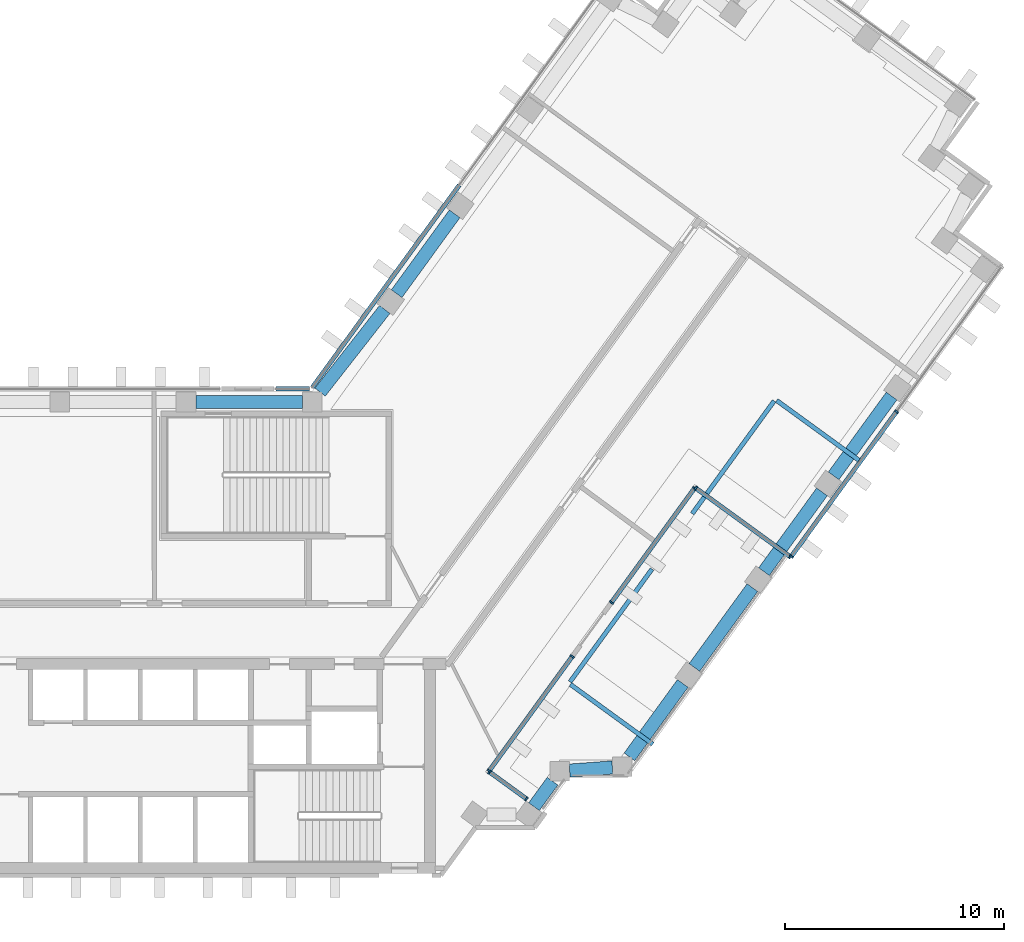
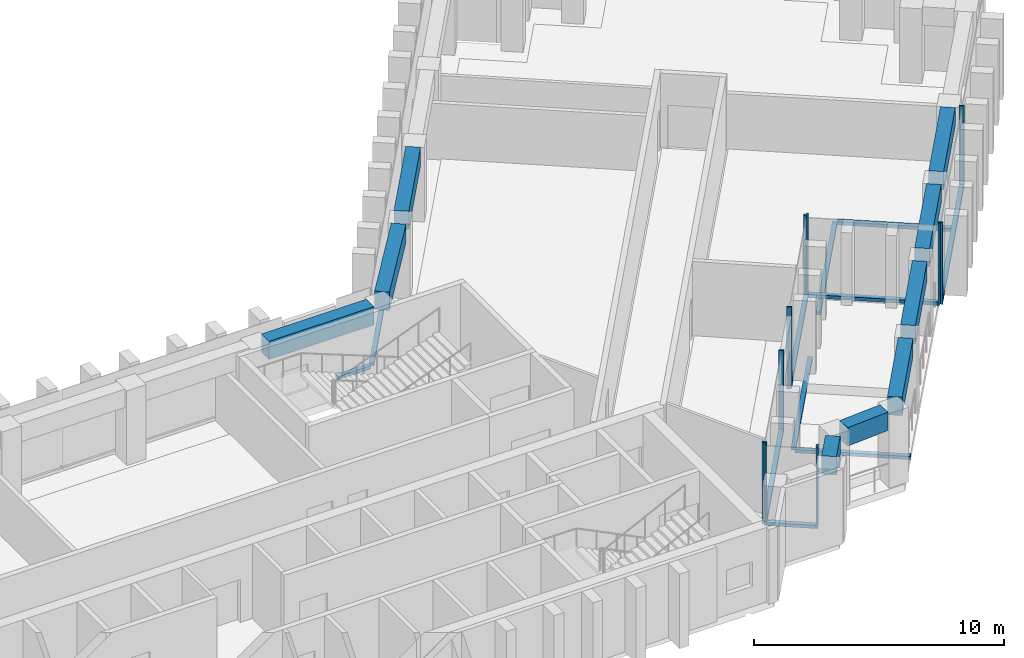
"""IFC4 building model written with IfcOpenShell, lengths in metres."""

from ifc_helpers import new_model, si_unit, direction, frame, origin, origin_2d, place, context, subcontext, project, spatial, rectangle, extrude, material, material_profile, profile_set, type_object, element, aggregate, save


model = new_model("IFC4")

# Units and contexts
model_context = context("Model", 3, precision=1e-05, world=origin(), true_north=direction((0.0, 1.0)))
body_context = subcontext(model_context, "Body", "Model", "MODEL_VIEW")
ifc_project = project(units=[si_unit("LENGTHUNIT", "METRE"), si_unit("AREAUNIT", "SQUARE_METRE"), si_unit("VOLUMEUNIT", "CUBIC_METRE"), si_unit("PLANEANGLEUNIT", "RADIAN"), si_unit("MASSUNIT", "GRAM", prefix="KILO")], contexts=[model_context])

# Site, building, storey
site_placement = place(None, origin())
site = spatial("IfcSite", under=ifc_project, at=site_placement, CompositionType="ELEMENT")
building_placement = place(site_placement, origin())
building = spatial("IfcBuilding", under=site, at=building_placement, Name="Quipu Civic Tower", CompositionType="ELEMENT")
storey_1_placement = place(building_placement, frame((0.0, 0.0, 105.0)))
storey_1 = spatial("IfcBuildingStorey", under=building, at=storey_1_placement, Name="L24", CompositionType="ELEMENT", Elevation=105.0)

# Curtain wall, members
ifc_material_1 = material(Name="Insulated glass unit", Category="glass")
curtain_wall_type = type_object("IfcCurtainWallType", Name="Office curtain wall CW1", PredefinedType="NOTDEFINED", material=ifc_material_1)
curtain_wall_1_placement = place(storey_1_placement, origin())
curtain_wall_1 = element("IfcCurtainWall", 1, at=curtain_wall_1_placement, inside=storey_1, type_object=curtain_wall_type, Name="Office curtain wall CW1 L24 run 2", PredefinedType="NOTDEFINED")
ifc_material_2 = material(Name="Anodised aluminium", Category="aluminium")
ifc_material_profile_1 = material_profile(ifc_material_2, rectangle(XDim=0.199951171875, YDim=0.080078125, at=origin_2d()), Name="RECT 200x80")
ifc_profile_set_1 = profile_set([ifc_material_profile_1], Name="Anodised aluminium")
member_type_1 = type_object("IfcMemberType", Name="Mullion CW1", PredefinedType="MULLION", material=ifc_profile_set_1)
member_1_placement = place(storey_1_placement, frame((24.154541015625, -7.592041015625, 0.080078125), z_axis=(0.0, 0.0, 1.0), x_axis=(-0.587773139404, -0.809025794765, 0.0)))
member_1 = element("IfcMember", 2, at=member_1_placement, type_object=member_type_1, Name="CW1 mullion 1", PredefinedType="MULLION", context=body_context, shape_type="SweptSolid", body=[
    extrude(rectangle(XDim=0.199951171875, YDim=0.080078125, at=origin_2d()), origin(), (0.0, 0.0, 1.0), 4.0),
])
member_2_placement = place(storey_1_placement, frame((22.468994140625, -6.367431640625, 0.080078125), z_axis=(0.0, 0.0, 1.0), x_axis=(-0.587773139404, -0.809025794765, 0.0)))
member_2 = element("IfcMember", 3, at=member_2_placement, type_object=member_type_1, Name="CW1 mullion 2", PredefinedType="MULLION", context=body_context, shape_type="SweptSolid", body=[
    extrude(rectangle(XDim=0.199951171875, YDim=0.080078125, at=origin_2d()), origin(), (0.0, 0.0, 1.0), 4.0),
])

curtain_wall_2_placement = place(storey_1_placement, origin())
curtain_wall_2 = element("IfcCurtainWall", 4, at=curtain_wall_2_placement, inside=storey_1, type_object=curtain_wall_type, Name="Office curtain wall CW1 L24 run 3", PredefinedType="NOTDEFINED")
member_3_placement = place(storey_1_placement, frame((22.460205078125, -6.3115234375, 0.080078125), z_axis=(0.0, 0.0, 1.0), x_axis=(-0.809018600878, 0.587783041125, 0.0)))
member_3 = element("IfcMember", 5, at=member_3_placement, type_object=member_type_1, Name="CW1 mullion 1", PredefinedType="MULLION", context=body_context, shape_type="SweptSolid", body=[
    extrude(rectangle(XDim=0.199951171875, YDim=0.080078125, at=origin_2d()), origin(), (0.0, 0.0, 1.0), 4.0),
])
member_4_placement = place(storey_1_placement, frame((26.244384765625, -1.1025390625, 0.080078125), z_axis=(0.0, 0.0, 1.0), x_axis=(-0.809018600878, 0.587783041125, 0.0)))
member_4 = element("IfcMember", 6, at=member_4_placement, type_object=member_type_1, Name="CW1 mullion 2", PredefinedType="MULLION", context=body_context, shape_type="SweptSolid", body=[
    extrude(rectangle(XDim=0.199951171875, YDim=0.080078125, at=origin_2d()), origin(), (0.0, 0.0, 1.0), 4.0),
])

curtain_wall_3_placement = place(storey_1_placement, origin())
curtain_wall_3 = element("IfcCurtainWall", 7, at=curtain_wall_3_placement, inside=storey_1, type_object=curtain_wall_type, Name="Office curtain wall CW1 L24 run 5", PredefinedType="NOTDEFINED")
member_5_placement = place(storey_1_placement, frame((28.033203125, 1.359130859375, 0.080078125), z_axis=(0.0, 0.0, 1.0), x_axis=(-0.809021906018, 0.587778491936, 0.0)))
member_5 = element("IfcMember", 8, at=member_5_placement, type_object=member_type_1, Name="CW1 mullion 1", PredefinedType="MULLION", context=body_context, shape_type="SweptSolid", body=[
    extrude(rectangle(XDim=0.199951171875, YDim=0.080078125, at=origin_2d()), origin(), (0.0, 0.0, 1.0), 4.0),
])
member_6_placement = place(storey_1_placement, frame((31.817626953125, 6.568115234375, 0.080078125), z_axis=(0.0, 0.0, 1.0), x_axis=(-0.809021906018, 0.587778491936, 0.0)))
member_6 = element("IfcMember", 9, at=member_6_placement, type_object=member_type_1, Name="CW1 mullion 2", PredefinedType="MULLION", context=body_context, shape_type="SweptSolid", body=[
    extrude(rectangle(XDim=0.199951171875, YDim=0.080078125, at=origin_2d()), origin(), (0.0, 0.0, 1.0), 4.0),
])

curtain_wall_4_placement = place(storey_1_placement, origin())
curtain_wall_4 = element("IfcCurtainWall", 10, at=curtain_wall_4_placement, inside=storey_1, type_object=curtain_wall_type, Name="Office curtain wall CW1 L24 run 6", PredefinedType="NOTDEFINED")
member_7_placement = place(storey_1_placement, frame((31.87353515625, 6.576904296875, 0.080078125), z_axis=(0.0, 0.0, 1.0), x_axis=(0.587779635352, 0.809021075291, 0.0)))
member_7 = element("IfcMember", 11, at=member_7_placement, type_object=member_type_1, Name="CW1 mullion 1", PredefinedType="MULLION", context=body_context, shape_type="SweptSolid", body=[
    extrude(rectangle(XDim=0.199951171875, YDim=0.080078125, at=origin_2d()), origin(), (0.0, 0.0, 1.0), 4.0),
])
member_8_placement = place(storey_1_placement, frame((36.177490234375, 3.449951171875, 0.080078125), z_axis=(0.0, 0.0, 1.0), x_axis=(0.587779635352, 0.809021075291, 0.0)))
member_8 = element("IfcMember", 12, at=member_8_placement, type_object=member_type_1, Name="CW1 mullion 2", PredefinedType="MULLION", context=body_context, shape_type="SweptSolid", body=[
    extrude(rectangle(XDim=0.199951171875, YDim=0.080078125, at=origin_2d()), origin(), (0.0, 0.0, 1.0), 4.0),
])

curtain_wall_5_placement = place(storey_1_placement, origin())
curtain_wall_5 = element("IfcCurtainWall", 13, at=curtain_wall_5_placement, inside=storey_1, type_object=curtain_wall_type, Name="Office curtain wall CW1 L24 run 7", PredefinedType="NOTDEFINED")
member_9_placement = place(storey_1_placement, frame((36.2333984375, 3.458740234375, 0.080078125), z_axis=(0.0, 0.0, 1.0), x_axis=(-0.80901470235, 0.587788406981, 0.0)))
member_9 = element("IfcMember", 14, at=member_9_placement, type_object=member_type_1, Name="CW1 mullion 1", PredefinedType="MULLION", context=body_context, shape_type="SweptSolid", body=[
    extrude(rectangle(XDim=0.199951171875, YDim=0.080078125, at=origin_2d()), origin(), (0.0, 0.0, 1.0), 4.0),
])
member_10_placement = place(storey_1_placement, frame((41.029541015625, 10.060302734375, 0.080078125), z_axis=(0.0, 0.0, 1.0), x_axis=(-0.80901470235, 0.587788406981, 0.0)))
member_10 = element("IfcMember", 15, at=member_10_placement, type_object=member_type_1, Name="CW1 mullion 2", PredefinedType="MULLION", context=body_context, shape_type="SweptSolid", body=[
    extrude(rectangle(XDim=0.199951171875, YDim=0.080078125, at=origin_2d()), origin(), (0.0, 0.0, 1.0), 4.0),
])

# Beams
ifc_material_3 = material(Name="Concrete C50/60", Category="concrete")
ifc_material_profile_2 = material_profile(ifc_material_3, rectangle(XDim=0.60009765625, YDim=0.89990234375, at=origin_2d()), Name="RC600x900")
ifc_profile_set_2 = profile_set([ifc_material_profile_2], Name="Concrete C50/60")
beam_type = type_object("IfcBeamType", Name="Spandrel beam RC 600x900 C50/60", PredefinedType="SPANDREL", material=ifc_profile_set_2)
beam_1_placement = place(storey_1_placement, frame((24.499755859375, -7.951171875, 3.199951171875), z_axis=(0.588433824377, 0.808545381738, 0.0), x_axis=(-0.808545381738, 0.588433824377, 0.0)))
element("IfcBeam", 16, at=beam_1_placement, inside=storey_1, type_object=beam_type, Name="Spandrel beam L24 J-Eo.2 to J-Eo.3", PredefinedType="SPANDREL", context=body_context, shape_type="SweptSolid", body=[
    extrude(rectangle(XDim=0.60009765625, YDim=0.89990234375, at=origin_2d()), origin(), (0.0, 0.0, 1.0), 1.439697265625),
])
beam_2_placement = place(storey_1_placement, frame((26.12451171875, -6.304443359375, 3.199951171875), z_axis=(0.997365981169, 0.072533437859, 0.0), x_axis=(-0.072533437859, 0.997365981169, 0.0)))
element("IfcBeam", 17, at=beam_2_placement, inside=storey_1, type_object=beam_type, Name="Spandrel beam L24 J-Eo.3 to J-Eo.4", PredefinedType="SPANDREL", context=body_context, shape_type="SweptSolid", body=[
    extrude(rectangle(XDim=0.60009765625, YDim=0.89990234375, at=origin_2d()), origin(), (0.0, 0.0, 1.0), 1.95556640625),
])
beam_3_placement = place(storey_1_placement, frame((28.85205078125, -5.679931640625, 3.199951171875), z_axis=(0.587750565781, 0.809042194464, 0.0), x_axis=(-0.809042194464, 0.587750565781, 0.0)))
element("IfcBeam", 18, at=beam_3_placement, inside=storey_1, type_object=beam_type, Name="Spandrel beam L24 J-Eo.4 to E-OUT-01", PredefinedType="SPANDREL", context=body_context, shape_type="SweptSolid", body=[
    extrude(rectangle(XDim=0.60009765625, YDim=0.89990234375, at=origin_2d()), origin(), (0.0, 0.0, 1.0), 4.13720703125),
])
beam_4_placement = place(storey_1_placement, frame((31.812744140625, -1.604736328125, 3.199951171875), z_axis=(0.587778073121, 0.809022210299, 0.0), x_axis=(-0.809022210299, 0.587778073121, 0.0)))
element("IfcBeam", 19, at=beam_4_placement, inside=storey_1, type_object=beam_type, Name="Spandrel beam L24 E-OUT-01 to E-OUT-02", PredefinedType="SPANDREL", context=body_context, shape_type="SweptSolid", body=[
    extrude(rectangle(XDim=0.60009765625, YDim=0.89990234375, at=origin_2d()), origin(), (0.0, 0.0, 1.0), 4.5),
])
beam_5_placement = place(storey_1_placement, frame((34.98681640625, 2.76416015625, 3.199951171875), z_axis=(0.587803872688, 0.809003465539, 0.0), x_axis=(-0.809003465539, 0.587803872688, 0.0)))
element("IfcBeam", 20, at=beam_5_placement, inside=storey_1, type_object=beam_type, Name="Spandrel beam L24 E-OUT-02 to E-OUT-03", PredefinedType="SPANDREL", context=body_context, shape_type="SweptSolid", body=[
    extrude(rectangle(XDim=0.60009765625, YDim=0.89990234375, at=origin_2d()), origin(), (0.0, 0.0, 1.0), 4.499755859375),
])
for number, where, z_axis, x_axis, name in (
    (21, (38.160888671875, 7.1328125, 3.199951171875), (0.587778073121, 0.809022210299, 0.0), (-0.809022210299, 0.587778073121, 0.0), "Spandrel beam L24 E-OUT-03 to E-OUT-04"),
    (22, (20.8828125, 19.079833984375, 3.199951171875), (-0.587716763865, -0.809066749701, 0.0), (0.809066749701, -0.587716763865, 0.0), "Spandrel beam L24 E-IN-02 to E-IN-01"),
):
    element("IfcBeam", number, at=place(storey_1_placement, frame(where, z_axis=z_axis, x_axis=x_axis)), inside=storey_1, type_object=beam_type, Name=name, PredefinedType="SPANDREL", context=body_context, shape_type="SweptSolid", body=[
        extrude(rectangle(XDim=0.60009765625, YDim=0.89990234375, at=origin_2d()), origin(), (0.0, 0.0, 1.0), 4.5),
    ])
beam_6_placement = place(storey_1_placement, frame((17.6962890625, 14.72021484375, 3.199951171875), z_axis=(-0.616123961998, -0.787649200756, 0.0), x_axis=(0.787649200756, -0.616123961998, 0.0)))
element("IfcBeam", 23, at=beam_6_placement, inside=storey_1, type_object=beam_type, Name="Spandrel beam L24 E-IN-01 to J-Ei.0", PredefinedType="SPANDREL", context=body_context, shape_type="SweptSolid", body=[
    extrude(rectangle(XDim=0.60009765625, YDim=0.89990234375, at=origin_2d()), origin(), (0.0, 0.0, 1.0), 4.78662109375),
])
beam_7_placement = place(storey_1_placement, frame((13.9453125, 10.5, 3.199951171875), z_axis=(-1.0, 0.0, 0.0), x_axis=(0.0, -1.0, 0.0)))
element("IfcBeam", 24, at=beam_7_placement, inside=storey_1, type_object=beam_type, Name="Spandrel beam L24 J-Ei.0 to FRONT-01", PredefinedType="SPANDREL", context=body_context, shape_type="SweptSolid", body=[
    extrude(rectangle(XDim=0.60009765625, YDim=0.89990234375, at=origin_2d()), origin(), (0.0, 0.0, 1.0), 4.858154296875),
])

# Storey
storey_2_placement = place(building_placement, frame((0.0, 0.0, 101.0)))
storey_2 = spatial("IfcBuildingStorey", under=building, at=storey_2_placement, Name="L23", CompositionType="ELEMENT", Elevation=101.0)

# Curtain wall, member
curtain_wall_6_placement = place(storey_2_placement, origin())
curtain_wall_6 = element("IfcCurtainWall", 25, at=curtain_wall_6_placement, inside=storey_2, type_object=curtain_wall_type, Name="Office curtain wall CW1 L23 run 2", PredefinedType="NOTDEFINED")
ifc_material_4 = material(Name="Anodised aluminium", Category="aluminium")
ifc_material_profile_3 = material_profile(ifc_material_4, rectangle(XDim=0.199951171875, YDim=0.159912109375, at=origin_2d()), Name="RECT 200x160")
ifc_profile_set_3 = profile_set([ifc_material_profile_3], Name="Anodised aluminium")
member_type_2 = type_object("IfcMemberType", Name="Transom CW1", PredefinedType="USERDEFINED", material=ifc_profile_set_3)
member_11_placement = place(storey_1_placement, frame((29.91455078125, -5.10205078125, 0.0), z_axis=(-0.809006769669, 0.587799325136, 0.0), x_axis=(-0.587799325136, -0.809006769669, 0.0)))
member_11 = element("IfcMember", 26, at=member_11_placement, inside=storey_1, type_object=member_type_2, Name="CW1 transom 1.2", ObjectType="TRANSOM", PredefinedType="USERDEFINED", context=body_context, shape_type="SweptSolid", body=[
    extrude(rectangle(XDim=0.199951171875, YDim=0.159912109375, at=origin_2d()), origin(), (0.0, 0.0, 1.0), 4.639892578125),
])
aggregate(curtain_wall_6, [member_11])

curtain_wall_7_placement = place(storey_2_placement, origin())
curtain_wall_7 = element("IfcCurtainWall", 27, at=curtain_wall_7_placement, inside=storey_2, type_object=curtain_wall_type, Name="Office curtain wall CW1 L23 run 3", PredefinedType="NOTDEFINED")
member_12_placement = place(storey_1_placement, frame((26.14306640625, -2.262939453125, 0.0), z_axis=(0.587797201853, 0.809008312376, 0.0), x_axis=(-0.809008312376, 0.587797201853, 0.0)))
member_12 = element("IfcMember", 28, at=member_12_placement, inside=storey_1, type_object=member_type_2, Name="CW1 transom 1.2", ObjectType="TRANSOM", PredefinedType="USERDEFINED", context=body_context, shape_type="SweptSolid", body=[
    extrude(rectangle(XDim=0.199951171875, YDim=0.159912109375, at=origin_2d()), origin(), (0.0, 0.0, 1.0), 6.358154296875),
])
aggregate(curtain_wall_7, [member_12])

curtain_wall_8_placement = place(storey_2_placement, origin())
curtain_wall_8 = element("IfcCurtainWall", 29, at=curtain_wall_8_placement, inside=storey_2, type_object=curtain_wall_type, Name="Office curtain wall CW1 L23 run 5", PredefinedType="NOTDEFINED")
member_13_placement = place(storey_1_placement, frame((31.7158203125, 5.4072265625, 0.0), z_axis=(0.587792686492, 0.809011593061, 0.0), x_axis=(-0.809011593061, 0.587792686492, 0.0)))
member_13 = element("IfcMember", 30, at=member_13_placement, inside=storey_1, type_object=member_type_2, Name="CW1 transom 1.2", ObjectType="TRANSOM", PredefinedType="USERDEFINED", context=body_context, shape_type="SweptSolid", body=[
    extrude(rectangle(XDim=0.199951171875, YDim=0.159912109375, at=origin_2d()), origin(), (0.0, 0.0, 1.0), 6.359130859375),
])
aggregate(curtain_wall_8, [member_13])

curtain_wall_9_placement = place(storey_2_placement, origin())
curtain_wall_9 = element("IfcCurtainWall", 31, at=curtain_wall_9_placement, inside=storey_2, type_object=curtain_wall_type, Name="Office curtain wall CW1 L23 run 6", PredefinedType="NOTDEFINED")
member_14_placement = place(storey_1_placement, frame((35.5654296875, 10.569580078125, 0.0), z_axis=(0.809006769669, -0.587799325136, 0.0), x_axis=(0.587799325136, 0.809006769669, 0.0)))
member_14 = element("IfcMember", 32, at=member_14_placement, inside=storey_1, type_object=member_type_2, Name="CW1 transom 1.2", ObjectType="TRANSOM", PredefinedType="USERDEFINED", context=body_context, shape_type="SweptSolid", body=[
    extrude(rectangle(XDim=0.199951171875, YDim=0.159912109375, at=origin_2d()), origin(), (0.0, 0.0, 1.0), 4.639892578125),
])
aggregate(curtain_wall_9, [member_14])

curtain_wall_10_placement = place(storey_2_placement, origin())
curtain_wall_10 = element("IfcCurtainWall", 33, at=curtain_wall_10_placement, inside=storey_2, type_object=curtain_wall_type, Name="Office curtain wall CW1 L22 run 36", PredefinedType="NOTDEFINED")
member_15_placement = place(storey_1_placement, frame((21.09326171875, 20.38916015625, 0.080078125), z_axis=(-0.587799878401, -0.809006367683, 0.0), x_axis=(0.809006367683, -0.587799878401, 0.0)))
member_15 = element("IfcMember", 34, at=member_15_placement, inside=storey_1, type_object=member_type_2, Name="CW1 transom 2.3", ObjectType="TRANSOM", PredefinedType="USERDEFINED", context=body_context, shape_type="SweptSolid", body=[
    extrude(rectangle(XDim=0.199951171875, YDim=0.159912109375, at=origin_2d()), origin(), (0.0, 0.0, 1.0), 11.402099609375),
])
aggregate(curtain_wall_10, [member_15])

curtain_wall_11_placement = place(storey_2_placement, origin())
curtain_wall_11 = element("IfcCurtainWall", 35, at=curtain_wall_11_placement, inside=storey_2, type_object=curtain_wall_type, Name="Office curtain wall CW1 L22 run 37", PredefinedType="NOTDEFINED")
member_16_placement = place(storey_1_placement, frame((14.26416015625, 11.10009765625, 0.080078125), z_axis=(-1.0, 0.0, 0.0), x_axis=(0.0, -1.0, 0.0)))
member_16 = element("IfcMember", 36, at=member_16_placement, inside=storey_1, type_object=member_type_2, Name="CW1 transom 1.3", ObjectType="TRANSOM", PredefinedType="USERDEFINED", context=body_context, shape_type="SweptSolid", body=[
    extrude(rectangle(XDim=0.199951171875, YDim=0.159912109375, at=origin_2d()), origin(), (0.0, 0.0, 1.0), 1.529052734375),
])
aggregate(curtain_wall_11, [member_16])

# Member
member_17_placement = place(storey_1_placement, frame((24.122314453125, -7.568359375, 0.159912109375), z_axis=(-0.809088976467, 0.587686164683, 0.0), x_axis=(-0.587686164683, -0.809088976467, 0.0)))
member_17 = element("IfcMember", 37, at=member_17_placement, type_object=member_type_2, Name="CW1 transom 1.1", ObjectType="TRANSOM", PredefinedType="USERDEFINED", context=body_context, shape_type="SweptSolid", body=[
    extrude(rectangle(XDim=0.199951171875, YDim=0.159912109375, at=origin_2d()), origin(), (0.0, 0.0, 1.0), 2.003662109375),
])

aggregate(curtain_wall_1, [member_1, member_2, member_17])

member_18_placement = place(storey_1_placement, frame((22.483642578125, -6.279052734375, 0.159912109375), z_axis=(0.587778942742, 0.809021578494, 0.0), x_axis=(-0.809021578494, 0.587778942742, 0.0)))
member_18 = element("IfcMember", 38, at=member_18_placement, type_object=member_type_2, Name="CW1 transom 1.1", ObjectType="TRANSOM", PredefinedType="USERDEFINED", context=body_context, shape_type="SweptSolid", body=[
    extrude(rectangle(XDim=0.199951171875, YDim=0.159912109375, at=origin_2d()), origin(), (0.0, 0.0, 1.0), 6.3583984375),
])

aggregate(curtain_wall_2, [member_3, member_4, member_18])

member_19_placement = place(storey_1_placement, frame((28.056640625, 1.3916015625, 0.159912109375), z_axis=(0.587785815007, 0.809016585539, 0.0), x_axis=(-0.809016585539, 0.587785815007, 0.0)))
member_19 = element("IfcMember", 39, at=member_19_placement, type_object=member_type_2, Name="CW1 transom 1.1", ObjectType="TRANSOM", PredefinedType="USERDEFINED", context=body_context, shape_type="SweptSolid", body=[
    extrude(rectangle(XDim=0.199951171875, YDim=0.159912109375, at=origin_2d()), origin(), (0.0, 0.0, 1.0), 6.358642578125),
])

aggregate(curtain_wall_3, [member_5, member_6, member_19])

member_20_placement = place(storey_1_placement, frame((31.90576171875, 6.553466796875, 0.159912109375), z_axis=(0.809032158953, -0.587764379475, 0.0), x_axis=(0.587764379475, 0.809032158953, 0.0)))
member_20 = element("IfcMember", 40, at=member_20_placement, type_object=member_type_2, Name="CW1 transom 1.1", ObjectType="TRANSOM", PredefinedType="USERDEFINED", context=body_context, shape_type="SweptSolid", body=[
    extrude(rectangle(XDim=0.199951171875, YDim=0.159912109375, at=origin_2d()), origin(), (0.0, 0.0, 1.0), 5.239990234375),
])

aggregate(curtain_wall_4, [member_7, member_8, member_20])

member_21_placement = place(storey_1_placement, frame((36.2568359375, 3.4912109375, 0.159912109375), z_axis=(0.587781767955, 0.809019525883, 0.0), x_axis=(-0.809019525883, 0.587781767955, 0.0)))
member_21 = element("IfcMember", 41, at=member_21_placement, type_object=member_type_2, Name="CW1 transom 1.1", ObjectType="TRANSOM", PredefinedType="USERDEFINED", context=body_context, shape_type="SweptSolid", body=[
    extrude(rectangle(XDim=0.199951171875, YDim=0.159912109375, at=origin_2d()), origin(), (0.0, 0.0, 1.0), 8.080078125),
])

aggregate(curtain_wall_5, [member_9, member_10, member_21])

save(model, "model.ifc")
